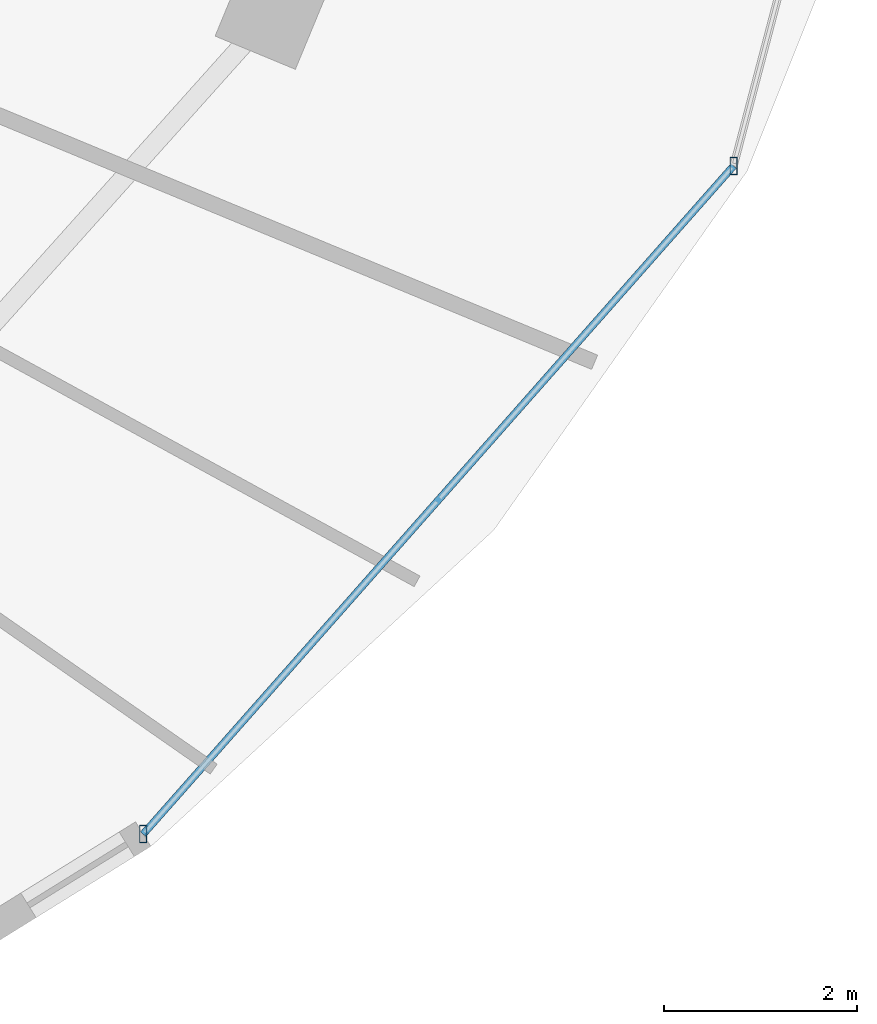
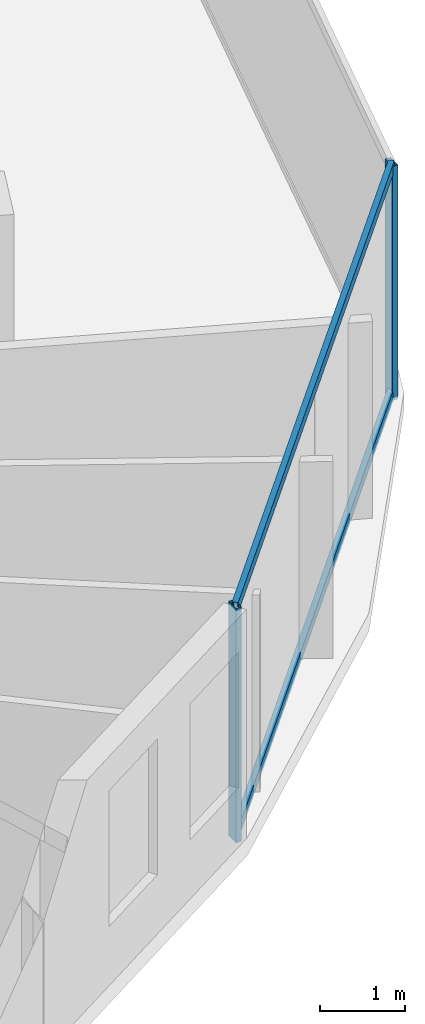
# One storey, part 13 of 33: 4 members, 1 element without a shape of its own.
"""IFC4 building model written with IfcOpenShell, lengths in metres."""

import ifcopenshell
import ifcopenshell.guid

model = None  # the IFC model being written
_history = None  # IfcOwnerHistory: only IFC2X3 demands one
_inside = {}  # id of a spatial element -> (the spatial element, [elements in it])
_under = {}  # id of a project, library or spatial element -> (it, [spatial elements below it])
_declared = {}  # id of a project -> (the project, [libraries it declares])
_typed = {}  # id of a type object -> (the type object, [elements of that type])
_made_of = {}  # id of a material, layer set ... -> (it, [elements and type objects made of it])


def new_model(schema):
    """Start an empty IFC model of exactly this schema.

    Asked for "IFC4X3", IfcOpenShell would pick the latest addendum, in which some entities
    have other attributes; the version numbers below select the first issue.
    IFC2X3 requires an IfcOwnerHistory on every rooted entity: one is made here for all.
    """
    global model, _history
    if schema == "IFC4X3":
        model = ifcopenshell.file(schema_version=(4, 3, 0, 0))
    else:
        model = ifcopenshell.file(schema=schema)
    _inside.clear()
    _under.clear()
    _declared.clear()
    _typed.clear()
    _made_of.clear()
    _history = None
    if model.schema == "IFC2X3":
        org = make("IfcOrganization", Name="unknown")
        user = make(
            "IfcPersonAndOrganization",
            ThePerson=make("IfcPerson", FamilyName="unknown"),
            TheOrganization=org,
        )
        app = make(
            "IfcApplication",
            ApplicationDeveloper=org,
            Version="unknown",
            ApplicationFullName="unknown",
            ApplicationIdentifier="unknown",
        )
        _history = make(
            "IfcOwnerHistory",
            OwningUser=user,
            OwningApplication=app,
            ChangeAction="ADDED",
            CreationDate=0,
        )
    return model


def make(cls, **values):
    """One entity of the class cls with the attributes given. An attribute that is None is left unset."""
    return model.create_entity(
        cls, **{name: value for name, value in values.items() if value is not None}
    )


def rooted(cls, **values):
    """An entity with a GlobalId (a new one), such as an element, a storey or a relation."""
    return make(cls, GlobalId=ifcopenshell.guid.new(), OwnerHistory=_history, **values)


def si_unit(unit_type, name, prefix=None):
    """IfcSIUnit, for example si_unit("LENGTHUNIT", "METRE", prefix="MILLI")."""
    return make("IfcSIUnit", UnitType=unit_type, Prefix=prefix, Name=name)


def assignment(units):
    """IfcUnitAssignment: the units of a project."""
    return None if units is None else make("IfcUnitAssignment", Units=units)


def point(xyz):
    """IfcCartesianPoint."""
    return None if xyz is None else make("IfcCartesianPoint", Coordinates=xyz)


def direction(xyz):
    """IfcDirection."""
    return None if xyz is None else make("IfcDirection", DirectionRatios=xyz)


def frame(location, z_axis=None, x_axis=None):
    """IfcAxis2Placement3D, a coordinate frame: its origin and axes. An axis left out is left unset."""
    return make(
        "IfcAxis2Placement3D",
        Location=point(location),
        Axis=direction(z_axis),
        RefDirection=direction(x_axis),
    )


def frame_2d(location, x_axis=None):
    """IfcAxis2Placement2D, a coordinate frame in the plane: its origin and x axis."""
    return make(
        "IfcAxis2Placement2D", Location=point(location), RefDirection=direction(x_axis)
    )


def origin():
    """The frame at (0, 0, 0) with its axes left unset."""
    return frame((0.0, 0.0, 0.0))


def origin_2d():
    """The frame at (0, 0) in the plane with its x axis left unset."""
    return frame_2d((0.0, 0.0))


def place(relative_to, where):
    """IfcLocalPlacement: puts the frame where relative to a parent placement (None: the world)."""
    return make(
        "IfcLocalPlacement", PlacementRelTo=relative_to, RelativePlacement=where
    )


def context(
    kind, dimensions, precision=None, world=None, true_north=None, identifier=None
):
    """IfcGeometricRepresentationContext, for example the 3D "Model" context."""
    return make(
        "IfcGeometricRepresentationContext",
        ContextIdentifier=identifier,
        ContextType=kind,
        CoordinateSpaceDimension=dimensions,
        Precision=precision,
        WorldCoordinateSystem=world,
        TrueNorth=true_north,
    )


def subcontext(parent, identifier, kind, view, scale=None):
    """IfcGeometricRepresentationSubContext, for example "Body" below "Model"."""
    return make(
        "IfcGeometricRepresentationSubContext",
        ContextIdentifier=identifier,
        ContextType=kind,
        ParentContext=parent,
        TargetScale=scale,
        TargetView=view,
    )


def project(units=None, contexts=None):
    """IfcProject with its units and contexts."""
    return rooted(
        "IfcProject",
        Name="project",
        RepresentationContexts=contexts,
        UnitsInContext=assignment(units),
    )


def spatial(cls, under=None, at=None, **own):
    """A site, building, storey or space (cls), placed at a placement, below another one or the project."""
    s = rooted(cls, ObjectPlacement=at, **own)
    if under is not None:
        _under.setdefault(under.id(), (under, []))[1].append(s)
    return s


def profile(cls, at=None, kind="AREA", **sizes):
    """A parametric profile (cls). Its sizes go by their IFC names, for example OverallWidth=200.0."""
    return make(cls, ProfileType=kind, Position=at, **sizes)


def hollow_rectangle(**sizes):
    """IfcRectangleHollowProfileDef."""
    return profile("IfcRectangleHollowProfileDef", **sizes)


def extrude(swept, where, along, depth):
    """IfcExtrudedAreaSolid: the profile swept, set in the frame where, extruded along a direction by depth."""
    return make(
        "IfcExtrudedAreaSolid",
        SweptArea=swept,
        Position=where,
        ExtrudedDirection=direction(along),
        Depth=depth,
    )


def shape(context_of_items, identifier, shape_type, items):
    """IfcShapeRepresentation: the items that make up one representation, for example the "Body"."""
    return make(
        "IfcShapeRepresentation",
        ContextOfItems=context_of_items,
        RepresentationIdentifier=identifier,
        RepresentationType=shape_type,
        Items=items,
    )


def material(Name=None, Category=None):
    """IfcMaterial."""
    return make("IfcMaterial", Name=Name, Category=Category)


def material_profile(
    of_material, cross_section, Name=None, Category=None, Priority=None
):
    """IfcMaterialProfile: a cross section and its material."""
    return make(
        "IfcMaterialProfile",
        Name=Name,
        Material=of_material,
        Profile=cross_section,
        Priority=Priority,
        Category=Category,
    )


def profile_set(profiles, Name=None, composite=None):
    """IfcMaterialProfileSet."""
    return make(
        "IfcMaterialProfileSet",
        Name=Name,
        MaterialProfiles=profiles,
        CompositeProfile=composite,
    )


def made_of(thing, what):
    """Note that an element or type object is made of a material, layer set ...; save() writes the relation."""
    if what is not None:
        _made_of.setdefault(what.id(), (what, []))[1].append(thing)
    return thing


def type_object(cls, material=None, **own):
    """A type object (cls), such as IfcWallType, which elements share."""
    return made_of(rooted(cls, **own), material)


def element(
    cls,
    number,
    at=None,
    inside=None,
    cuts=None,
    type_object=None,
    material=None,
    context=None,
    identifier="Body",
    shape_type=None,
    held_by="IfcProductDefinitionShape",
    body=None,
    shapes=None,
    **own,
):
    """One element of the class cls, such as IfcWall. Its Tag is "e" and its number.

    at: its placement. inside: the storey or other place that contains it. cuts: it is an
    opening in that element (IfcRelVoidsElement). A single representation is given by context,
    identifier, shape_type and body (its items); several are given by shapes. held_by: the class
    of the entity that holds the representations. save() writes the other relations.
    """
    e = rooted(cls, Tag="e%d" % number, ObjectPlacement=at, **own)
    if body is not None:
        shapes = [shape(context, identifier, shape_type, body)]
    if shapes is not None:
        e.Representation = make(held_by, Representations=shapes)
    if inside is not None:
        _inside.setdefault(inside.id(), (inside, []))[1].append(e)
    if cuts is not None:
        rooted(
            "IfcRelVoidsElement", RelatingBuildingElement=cuts, RelatedOpeningElement=e
        )
    if type_object is not None:
        _typed.setdefault(type_object.id(), (type_object, []))[1].append(e)
    return made_of(e, material)


def aggregate(whole, parts):
    """IfcRelAggregates: a whole, such as a stair, and the parts it consists of."""
    return rooted("IfcRelAggregates", RelatingObject=whole, RelatedObjects=parts)


def save(model, path):
    """Write the relations noted so far, then the file.

    IfcRelAggregates (storeys below a building ...), IfcRelContainedInSpatialStructure (elements
    in a storey), IfcRelDefinesByType, IfcRelAssociatesMaterial and IfcRelDeclares: one each for
    every whole, place, type object, material and project.
    """
    for whole, parts in _under.values():
        aggregate(whole, parts)
    for where, things in _inside.values():
        rooted(
            "IfcRelContainedInSpatialStructure",
            RelatedElements=things,
            RelatingStructure=where,
        )
    for kind, things in _typed.values():
        rooted("IfcRelDefinesByType", RelatedObjects=things, RelatingType=kind)
    for what, things in _made_of.values():
        rooted("IfcRelAssociatesMaterial", RelatedObjects=things, RelatingMaterial=what)
    for by, libraries in _declared.values():
        rooted("IfcRelDeclares", RelatingContext=by, RelatedDefinitions=libraries)
    model.write(path)


model = new_model("IFC4")

# Units and contexts
model_context = context("Model", 3, precision=1e-05, world=origin(), true_north=direction((0.0, 1.0)))
body_context = subcontext(model_context, "Body", "Model", "MODEL_VIEW")
ifc_project = project(units=[si_unit("LENGTHUNIT", "METRE"), si_unit("AREAUNIT", "SQUARE_METRE"), si_unit("VOLUMEUNIT", "CUBIC_METRE"), si_unit("PLANEANGLEUNIT", "RADIAN"), si_unit("MASSUNIT", "GRAM", prefix="KILO")], contexts=[model_context])

# Site, building, storey
site_placement = place(None, origin())
site = spatial("IfcSite", under=ifc_project, at=site_placement, CompositionType="ELEMENT")
building_placement = place(site_placement, origin())
building = spatial("IfcBuilding", under=site, at=building_placement, Name="Vorneva Point Tower", CompositionType="ELEMENT")
storey_placement = place(building_placement, frame((0.0, 0.0, 217.85009765625)))
storey = spatial("IfcBuildingStorey", under=building, at=storey_placement, Name="L59", CompositionType="ELEMENT", Elevation=217.85009765625)

# Curtain wall, members
ifc_material = material(Name="Pale anodised aluminium", Category="aluminium")
curtain_wall_type = type_object("IfcCurtainWallType", Name="CW-RES-SYS", PredefinedType="NOTDEFINED", material=ifc_material)
curtain_wall_placement = place(storey_placement, origin())
curtain_wall = element("IfcCurtainWall", 1, at=curtain_wall_placement, inside=storey, type_object=curtain_wall_type, Name="L59 Unitised Curtain Wall CW-L59-R04", PredefinedType="NOTDEFINED")
ifc_material_profile_1 = material_profile(ifc_material, hollow_rectangle(XDim=0.074951171875, YDim=0.179931640625, WallThickness=0.00390625, at=origin_2d()), Name="AL-MUL 180x75x4")
ifc_profile_set_1 = profile_set([ifc_material_profile_1], Name="Pale anodised aluminium")
member_type_1 = type_object("IfcMemberType", Name="CW-MUL-180", PredefinedType="MULLION", material=ifc_profile_set_1)
member_1_placement = place(storey_placement, frame((57.961669921875, 10.9033203125, -0.0400390625), z_axis=(0.0, 0.0, 1.0), x_axis=(1.0, 0.0, 0.0)))
member_1 = element("IfcMember", 2, at=member_1_placement, type_object=member_type_1, Name="CW-L59-R04 Mullion 01", PredefinedType="MULLION", context=body_context, shape_type="SweptSolid", body=[
    extrude(hollow_rectangle(XDim=0.074951171875, YDim=0.179931640625, WallThickness=0.00390625, at=origin_2d()), origin(), (0.0, 0.0, 1.0), 3.35986328125),
])
member_2_placement = place(storey_placement, frame((64.0810546875, 17.82958984375, -0.0400390625), z_axis=(0.0, 0.0, 1.0), x_axis=(1.0, 0.0, 0.0)))
member_2 = element("IfcMember", 3, at=member_2_placement, type_object=member_type_1, Name="CW-L59-R04 Mullion 02", PredefinedType="MULLION", context=body_context, shape_type="SweptSolid", body=[
    extrude(hollow_rectangle(XDim=0.074951171875, YDim=0.179931640625, WallThickness=0.00390625, at=origin_2d()), origin(), (0.0, 0.0, 1.0), 3.35986328125),
])
ifc_material_profile_2 = material_profile(ifc_material, hollow_rectangle(XDim=0.074951171875, YDim=0.14990234375, WallThickness=0.00390625, at=origin_2d()), Name="AL-TRN 150x75x4")
ifc_profile_set_2 = profile_set([ifc_material_profile_2], Name="Pale anodised aluminium")
member_type_2 = type_object("IfcMemberType", Name="CW-TRN-150", PredefinedType="USERDEFINED", material=ifc_profile_set_2)
member_3_placement = place(storey_placement, frame((57.961669921875, 10.9033203125, 0.02001953125), z_axis=(0.662106383869, 0.749409858782, 0.0), x_axis=(-0.749409858782, 0.662106383869, 0.0)))
member_3 = element("IfcMember", 4, at=member_3_placement, type_object=member_type_2, Name="CW-L59-R04 Transom 01.1", ObjectType="TRANSOM", PredefinedType="USERDEFINED", context=body_context, shape_type="SweptSolid", body=[
    extrude(hollow_rectangle(XDim=0.074951171875, YDim=0.14990234375, WallThickness=0.00390625, at=origin_2d()), origin(), (0.0, 0.0, 1.0), 9.2421875),
])
member_4_placement = place(storey_placement, frame((57.961669921875, 10.9033203125, 3.27001953125), z_axis=(0.662106383869, 0.749409858782, 0.0), x_axis=(-0.749409858782, 0.662106383869, 0.0)))
member_4 = element("IfcMember", 5, at=member_4_placement, type_object=member_type_2, Name="CW-L59-R04 Transom 01.2", ObjectType="TRANSOM", PredefinedType="USERDEFINED", context=body_context, shape_type="SweptSolid", body=[
    extrude(hollow_rectangle(XDim=0.074951171875, YDim=0.14990234375, WallThickness=0.00390625, at=origin_2d()), origin(), (0.0, 0.0, 1.0), 9.2421875),
])
aggregate(curtain_wall, [member_1, member_2, member_3, member_4])

save(model, "model.ifc")
